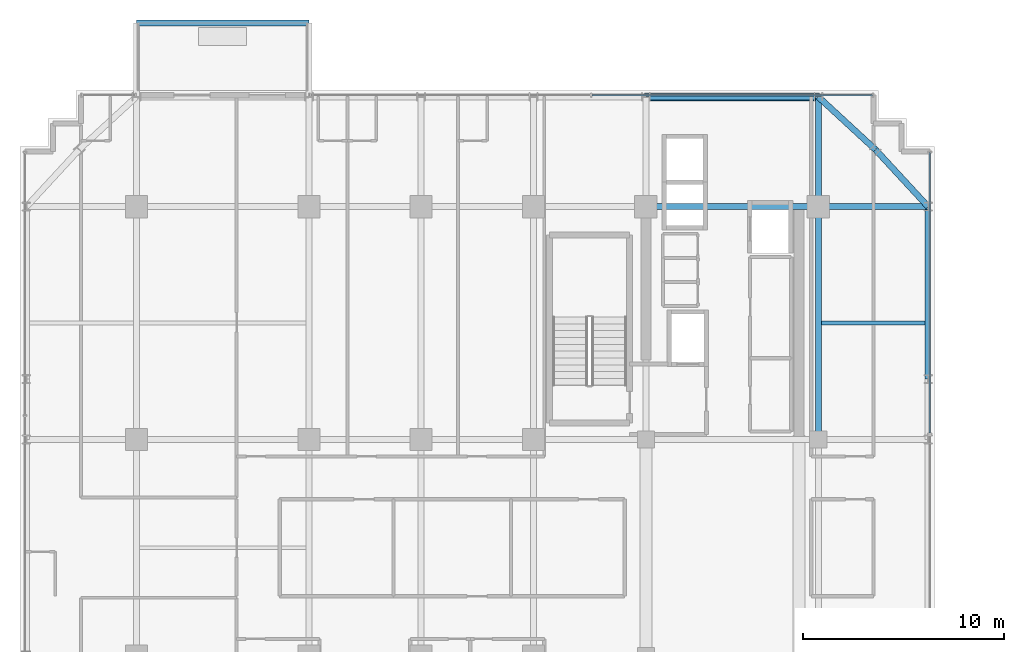
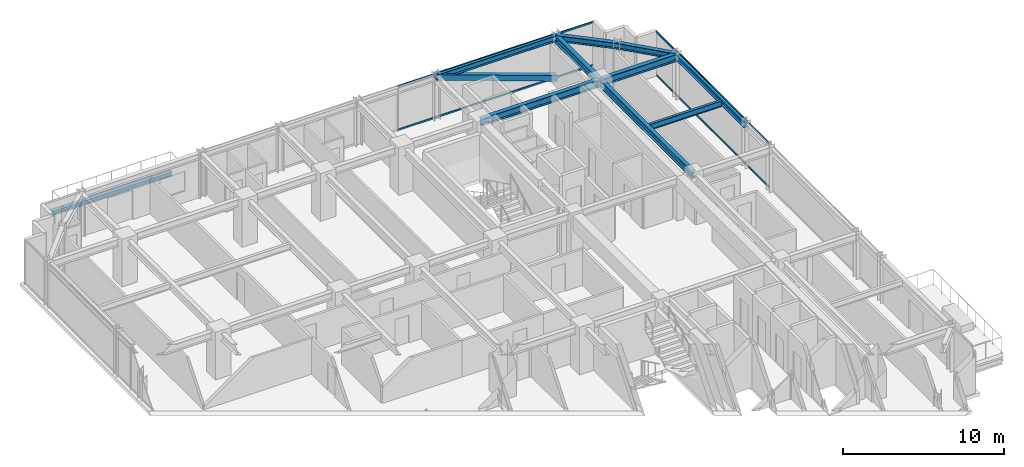
# One storey, part 19 of 29: 10 beams, 5 members, 2 elements without a shape of their own.
"""IFC4 building model written with IfcOpenShell, lengths in metres."""

from ifc_helpers import new_model, si_unit, direction, frame, origin, origin_2d, place, context, subcontext, project, spatial, hollow_rectangle, i_section, extrude, source, transform, mapped, material, material_profile, profile_set, type_object, element, aggregate, save


model = new_model("IFC4")

# Units and contexts
model_context = context("Model", 3, precision=1e-05, world=origin(), true_north=direction((0.0, 1.0)))
body_context = subcontext(model_context, "Body", "Model", "MODEL_VIEW")
ifc_project = project(units=[si_unit("LENGTHUNIT", "METRE"), si_unit("AREAUNIT", "SQUARE_METRE"), si_unit("VOLUMEUNIT", "CUBIC_METRE"), si_unit("PLANEANGLEUNIT", "RADIAN"), si_unit("MASSUNIT", "GRAM", prefix="KILO")], contexts=[model_context])

# Site, building, storey
site_placement = place(None, origin())
site = spatial("IfcSite", under=ifc_project, at=site_placement, CompositionType="ELEMENT")
building_placement = place(site_placement, origin())
building = spatial("IfcBuilding", under=site, at=building_placement, Name="Nahalor Promenade Grand Hotel", CompositionType="ELEMENT")
storey_placement = place(building_placement, frame((0.0, 0.0, 189.14990234375)))
storey = spatial("IfcBuildingStorey", under=building, at=storey_placement, Name="L48", CompositionType="ELEMENT", Elevation=189.14990234375)

# Beams
ifc_material_1 = material(Name="Steel S355JR", Category="steel")
ifc_material_profile_1 = material_profile(ifc_material_1, i_section(OverallWidth=0.3, OverallDepth=0.32, WebThickness=0.0115, FlangeThickness=0.0205, at=origin_2d()), Name="HEB 320")
ifc_profile_set_1 = profile_set([ifc_material_profile_1], Name="Steel S355JR")
beam_type_1 = type_object("IfcBeamType", Name="Beam-BalcEdge-HEB320", PredefinedType="SPANDREL", material=ifc_profile_set_1)
shared_shape_1 = source(origin(), body_context, "Body", "SweptSolid", [
    extrude(i_section(OverallWidth=0.3, OverallDepth=0.32, WebThickness=0.0115, FlangeThickness=0.0205, at=origin_2d()), origin(), (0.0, 0.0, 1.0), 8.60009765625),
])
beam_1_placement = place(storey_placement, frame((-17.0, 26.159912109375, -0.43994140625), z_axis=(1.0, 0.0, 0.0), x_axis=(0.0, 1.0, 0.0)))
element("IfcBeam", 1, at=beam_1_placement, inside=storey, type_object=beam_type_1, Name="BM-L48-BC-01-F", PredefinedType="SPANDREL", context=body_context, shape_type="MappedRepresentation", body=[
    mapped(shared_shape_1, transform((0.0, 0.0, 0.0), scale=1.0)),
])
ifc_material_profile_2 = material_profile(ifc_material_1, i_section(OverallWidth=0.3, OverallDepth=0.55, WebThickness=0.015, FlangeThickness=0.029, at=origin_2d()), Name="HEB 550")
ifc_profile_set_2 = profile_set([ifc_material_profile_2], Name="Steel S355JR")
beam_type_2 = type_object("IfcBeamType", Name="Beam-Girder-HEB550", PredefinedType="BEAM", material=ifc_profile_set_2)
shared_shape_2 = source(origin(), body_context, "Body", "SweptSolid", [
    extrude(i_section(OverallWidth=0.3, OverallDepth=0.55, WebThickness=0.015, FlangeThickness=0.029, at=origin_2d()), origin(), (0.0, 0.0, 1.0), 8.60009765625),
])
beam_2_placement = place(storey_placement, frame((8.39990234375, 17.0, 3.114990234375), z_axis=(1.0, 0.0, 0.0), x_axis=(0.0, 1.0, 0.0)))
element("IfcBeam", 2, at=beam_2_placement, inside=storey, type_object=beam_type_2, Name="BM-L48-GX-3-5", PredefinedType="BEAM", context=body_context, shape_type="MappedRepresentation", body=[
    mapped(shared_shape_2, transform((0.0, 0.0, 0.0), scale=1.0)),
])
shared_shape_3 = source(origin(), body_context, "Body", "SweptSolid", [
    extrude(i_section(OverallWidth=0.3, OverallDepth=0.55, WebThickness=0.015, FlangeThickness=0.029, at=origin_2d()), origin(), (0.0, 0.0, 1.0), 11.60009765625),
])
beam_3_placement = place(storey_placement, frame((17.0, 5.39990234375, 3.114990234375), z_axis=(0.0, 1.0, 0.0), x_axis=(-1.0, 0.0, 0.0)))
element("IfcBeam", 3, at=beam_3_placement, inside=storey, type_object=beam_type_2, Name="BM-L48-GY-5-3", PredefinedType="BEAM", context=body_context, shape_type="MappedRepresentation", body=[
    mapped(shared_shape_3, transform((0.0, 0.0, 0.0), scale=1.0)),
])
shared_shape_4 = source(origin(), body_context, "Body", "SweptSolid", [
    extrude(i_section(OverallWidth=0.3, OverallDepth=0.55, WebThickness=0.015, FlangeThickness=0.029, at=origin_2d()), origin(), (0.0, 0.0, 1.0), 5.47998046875),
])
for number, where, z_axis, x_axis, name in (
    (4, (17.0, 17.0, 3.114990234375), (1.0, 0.0, 0.0), (0.0, 1.0, 0.0), "BM-L48-GX-3-6"),
    (5, (17.0, 17.0, 3.114990234375), (0.0, 1.0, 0.0), (-1.0, 0.0, 0.0), "BM-L48-GY-5-4"),
):
    element("IfcBeam", number, at=place(storey_placement, frame(where, z_axis=z_axis, x_axis=x_axis)), inside=storey, type_object=beam_type_2, Name=name, PredefinedType="BEAM", context=body_context, shape_type="MappedRepresentation", body=[
        mapped(shared_shape_4, transform((0.0, 0.0, 0.0), scale=1.0)),
    ])
ifc_material_profile_3 = material_profile(ifc_material_1, i_section(OverallWidth=0.19, OverallDepth=0.45, WebThickness=0.0094, FlangeThickness=0.0146, at=origin_2d()), Name="IPE 450")
ifc_profile_set_3 = profile_set([ifc_material_profile_3], Name="Steel S355JR")
beam_type_3 = type_object("IfcBeamType", Name="Beam-Joist-IPE450", PredefinedType="JOIST", material=ifc_profile_set_3)
shared_shape_5 = source(origin(), body_context, "Body", "SweptSolid", [
    extrude(i_section(OverallWidth=0.19, OverallDepth=0.45, WebThickness=0.0094, FlangeThickness=0.0146, at=origin_2d()), origin(), (0.0, 0.0, 1.0), 5.18017578125),
])
beam_4_placement = place(storey_placement, frame((17.14990234375, 11.199951171875, 3.1650390625), z_axis=(1.0, 0.0, 0.0), x_axis=(0.0, 1.0, 0.0)))
element("IfcBeam", 6, at=beam_4_placement, inside=storey, type_object=beam_type_3, Name="BM-L48-JSE-1-2", PredefinedType="JOIST", context=body_context, shape_type="MappedRepresentation", body=[
    mapped(shared_shape_5, transform((0.0, 0.0, 0.0), scale=1.0)),
])
ifc_material_profile_4 = material_profile(ifc_material_1, i_section(OverallWidth=0.3, OverallDepth=0.45, WebThickness=0.014, FlangeThickness=0.026, at=origin_2d()), Name="HEB 450")
ifc_profile_set_4 = profile_set([ifc_material_profile_4], Name="Steel S355JR")
beam_type_4 = type_object("IfcBeamType", Name="Beam-Spandrel-HEB450", PredefinedType="SPANDREL", material=ifc_profile_set_4)
shared_shape_6 = source(origin(), body_context, "Body", "SweptSolid", [
    extrude(i_section(OverallWidth=0.3, OverallDepth=0.45, WebThickness=0.014, FlangeThickness=0.026, at=origin_2d()), origin(), (0.0, 0.0, 1.0), 8.60009765625),
])
for number, where, z_axis, x_axis, name in (
    (7, (8.39990234375, 22.47998046875, 3.1650390625), (1.0, 0.0, 0.0), (0.0, 1.0, 0.0), "BM-L48-SP-N-4"),
    (8, (22.47998046875, 8.39990234375, 3.1650390625), (0.0, 1.0, 0.0), (-1.0, 0.0, 0.0), "BM-L48-SP-E-4"),
):
    element("IfcBeam", number, at=place(storey_placement, frame(where, z_axis=z_axis, x_axis=x_axis)), inside=storey, type_object=beam_type_4, Name=name, PredefinedType="SPANDREL", context=body_context, shape_type="MappedRepresentation", body=[
        mapped(shared_shape_6, transform((0.0, 0.0, 0.0), scale=1.0)),
    ])
shared_shape_7 = source(origin(), body_context, "Body", "SweptSolid", [
    extrude(i_section(OverallWidth=0.3, OverallDepth=0.45, WebThickness=0.014, FlangeThickness=0.026, at=origin_2d()), origin(), (0.0, 0.0, 1.0), 3.878173828125),
])
for number, where, z_axis, x_axis, name in (
    (9, (17.0, 22.47998046875, 3.1650390625), (0.73492893846, -0.678144125843, 0.0), (0.678144125843, 0.73492893846, 0.0), "BM-L48-SPC-NE-1"),
    (10, (19.85009765625, 19.85009765625, 3.1650390625), (0.678144125843, -0.73492893846, 0.0), (0.73492893846, 0.678144125843, 0.0), "BM-L48-SPC-NE-2"),
):
    element("IfcBeam", number, at=place(storey_placement, frame(where, z_axis=z_axis, x_axis=x_axis)), inside=storey, type_object=beam_type_4, Name=name, PredefinedType="SPANDREL", context=body_context, shape_type="MappedRepresentation", body=[
        mapped(shared_shape_7, transform((0.0, 0.0, 0.0), scale=1.0)),
    ])

# Member
ifc_material_profile_5 = material_profile(ifc_material_1, hollow_rectangle(XDim=0.4, YDim=0.4, WallThickness=0.022, at=origin_2d()), Name="SHS 400x400x22")
ifc_profile_set_5 = profile_set([ifc_material_profile_5], Name="Steel S355JR")
member_type_1 = type_object("IfcMemberType", Name="Mem-ExoBrace-SHS400", PredefinedType="BRACE", material=ifc_profile_set_5)
shared_shape_8 = source(origin(), body_context, "Body", "SweptSolid", [
    extrude(hollow_rectangle(XDim=0.4, YDim=0.4, WallThickness=0.022, at=origin_2d()), origin(), (0.0, 0.0, 1.0), 9.138427734375),
])
member_1_placement = place(storey_placement, frame((17.0, 22.47998046875, 0.150146484375), z_axis=(-0.941103144716, 0.0, 0.338119610501), x_axis=(0.0, -1.0, 0.0)))
element("IfcMember", 11, at=member_1_placement, inside=storey, type_object=member_type_1, Name="EXO-L48-N-1", PredefinedType="BRACE", context=body_context, shape_type="MappedRepresentation", body=[
    mapped(shared_shape_8, transform((0.0, 0.0, 0.0), scale=1.0)),
])

# Curtain wall, members
ifc_material_2 = material(Name="Anodised Bronze Aluminium EN AW-6063 T6", Category="aluminium")
curtain_wall_type = type_object("IfcCurtainWallType", Name="CW2 Typical Hotel Flush Bronze Unitised Curtain Wall", PredefinedType="USERDEFINED", material=ifc_material_2)
curtain_wall_1_placement = place(storey_placement, origin())
curtain_wall_1 = element("IfcCurtainWall", 12, at=curtain_wall_1_placement, inside=storey, type_object=curtain_wall_type, Name="L48 Curtain Wall CW-L48-N-3", ObjectType="UNITISED_CURTAIN_WALL", PredefinedType="USERDEFINED")
ifc_material_profile_6 = material_profile(ifc_material_2, hollow_rectangle(XDim=0.065, YDim=0.13, WallThickness=0.004, at=origin_2d()), Name="CWT 65x130x4")
ifc_profile_set_6 = profile_set([ifc_material_profile_6], Name="Anodised Bronze Aluminium EN AW-6063 T6")
member_type_2 = type_object("IfcMemberType", Name="CWT2 Typical Bronze Transom 65x130", PredefinedType="USERDEFINED", material=ifc_profile_set_6)
shared_shape_9 = source(origin(), body_context, "Body", "SweptSolid", [
    extrude(hollow_rectangle(XDim=0.065, YDim=0.13, WallThickness=0.004, at=origin_2d()), origin(), (0.0, 0.0, 1.0), 13.982666015625),
])
member_2_placement = place(storey_placement, frame((5.71240234375, 22.56005859375, 0.065185546875), z_axis=(1.0, 0.0, 0.0), x_axis=(0.0, 1.0, 0.0)))
member_2 = element("IfcMember", 13, at=member_2_placement, type_object=member_type_2, Name="CW-L48-N-3 Transom 1-0", ObjectType="TRANSOM", PredefinedType="USERDEFINED", context=body_context, shape_type="MappedRepresentation", body=[
    mapped(shared_shape_9, transform((0.0, 0.0, 0.0), scale=1.0)),
])
member_3_placement = place(storey_placement, frame((5.71240234375, 22.56005859375, 3.3251953125), z_axis=(1.0, 0.0, 0.0), x_axis=(0.0, 1.0, 0.0)))
member_3 = element("IfcMember", 14, at=member_3_placement, type_object=member_type_2, Name="CW-L48-N-3 Transom 1-1", ObjectType="TRANSOM", PredefinedType="USERDEFINED", context=body_context, shape_type="MappedRepresentation", body=[
    mapped(shared_shape_9, transform((0.0, 0.0, 0.0), scale=1.0)),
])
aggregate(curtain_wall_1, [member_2, member_3])

curtain_wall_2_placement = place(storey_placement, origin())
curtain_wall_2 = element("IfcCurtainWall", 15, at=curtain_wall_2_placement, inside=storey, type_object=curtain_wall_type, Name="L48 Curtain Wall CW-L48-E-3", ObjectType="UNITISED_CURTAIN_WALL", PredefinedType="USERDEFINED")
member_4_placement = place(storey_placement, frame((22.56005859375, 5.71240234375, 0.065185546875), z_axis=(0.0, 1.0, 0.0), x_axis=(-1.0, 0.0, 0.0)))
member_4 = element("IfcMember", 16, at=member_4_placement, type_object=member_type_2, Name="CW-L48-E-3 Transom 1-0", ObjectType="TRANSOM", PredefinedType="USERDEFINED", context=body_context, shape_type="MappedRepresentation", body=[
    mapped(shared_shape_9, transform((0.0, 0.0, 0.0), scale=1.0)),
])
member_5_placement = place(storey_placement, frame((22.56005859375, 5.71240234375, 3.3251953125), z_axis=(0.0, 1.0, 0.0), x_axis=(-1.0, 0.0, 0.0)))
member_5 = element("IfcMember", 17, at=member_5_placement, type_object=member_type_2, Name="CW-L48-E-3 Transom 1-1", ObjectType="TRANSOM", PredefinedType="USERDEFINED", context=body_context, shape_type="MappedRepresentation", body=[
    mapped(shared_shape_9, transform((0.0, 0.0, 0.0), scale=1.0)),
])
aggregate(curtain_wall_2, [member_4, member_5])

save(model, "model.ifc")
